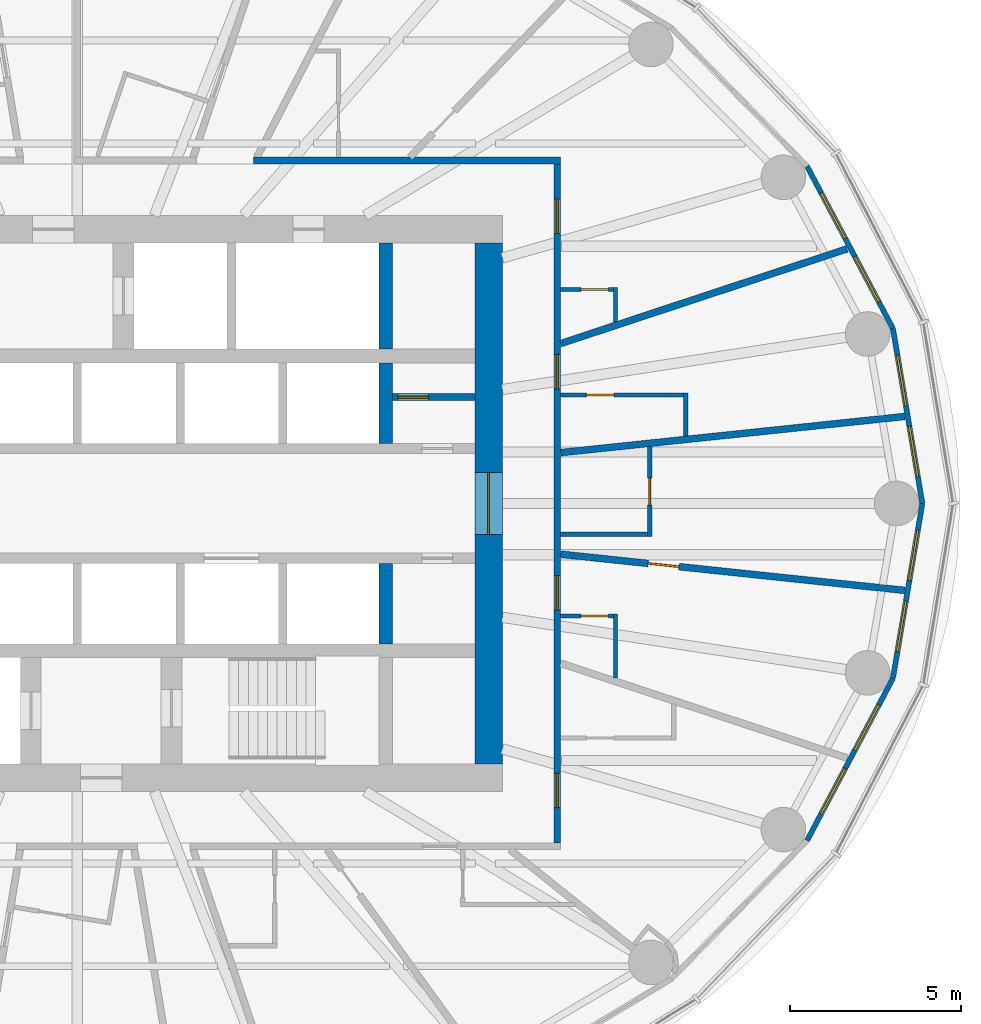
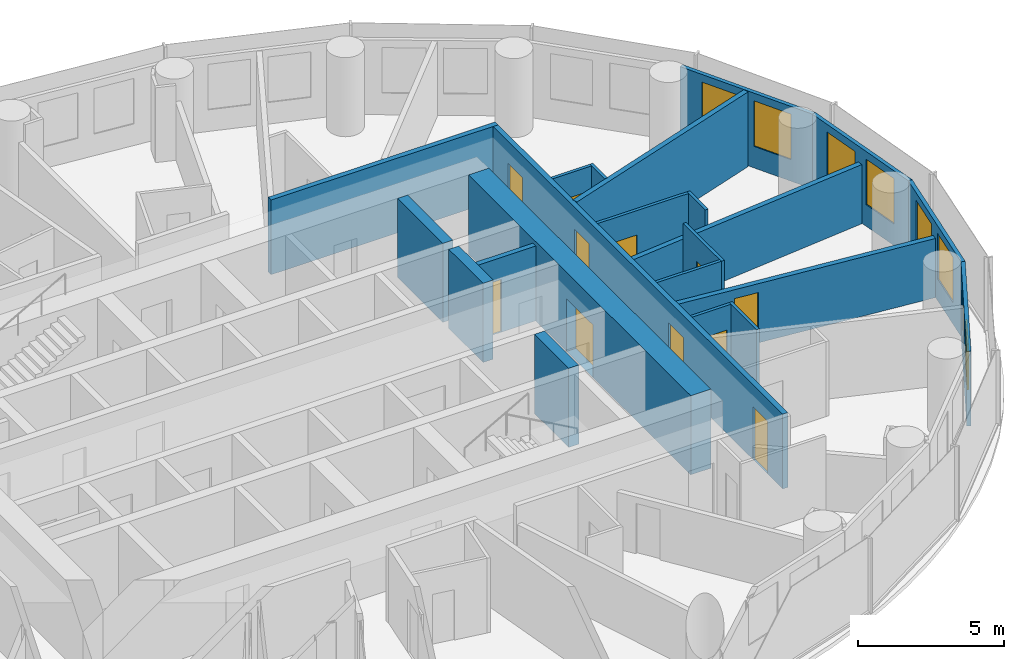
# One storey, part 10 of 13: 22 walls, 11 doors, 8 windows, 19 openings.
"""IFC4 building model written with IfcOpenShell, lengths in metres."""

from ifc_helpers import new_model, si_unit, direction, frame, frame_2d, origin, place, context, subcontext, project, spatial, rectangle, extrude, material, layer, layer_set, type_object, element, fill, save


model = new_model("IFC4")

# Units and contexts
model_context = context("Model", 3, precision=1e-05, world=origin(), true_north=direction((0.0, 1.0)))
body_context = subcontext(model_context, "Body", "Model", "MODEL_VIEW")
ifc_project = project(units=[si_unit("LENGTHUNIT", "METRE"), si_unit("AREAUNIT", "SQUARE_METRE"), si_unit("VOLUMEUNIT", "CUBIC_METRE"), si_unit("PLANEANGLEUNIT", "RADIAN"), si_unit("MASSUNIT", "GRAM", prefix="KILO")], contexts=[model_context])

# Site, building, storey
site_placement = place(None, origin())
site = spatial("IfcSite", under=ifc_project, at=site_placement, CompositionType="ELEMENT")
building_placement = place(site_placement, origin())
building = spatial("IfcBuilding", under=site, at=building_placement, Name="Hankou Lantern Tower", CompositionType="ELEMENT")
storey_placement = place(building_placement, frame((0.0, 0.0, 128.699951171875)))
storey = spatial("IfcBuildingStorey", under=building, at=storey_placement, Name="L33", CompositionType="ELEMENT", Elevation=128.699951171875)

# Wall, opening, door
ifc_material_1 = material(Name="Concrete C60", Category="concrete")
ifc_layer_1 = layer(ifc_material_1, 0.800048828125)
ifc_layer_set_1 = layer_set([ifc_layer_1], Name="Concrete C60")
wall_type_1 = type_object("IfcWallType", Name="CW2 CORE WALL 800", PredefinedType="SHEAR", material=ifc_layer_set_1)
wall_1_placement = place(storey_placement, frame((12.0, -7.60009765625, 0.0), z_axis=(0.0, 0.0, 1.0), x_axis=(0.0, 1.0, 0.0)))
wall_1 = element("IfcWall", 1, at=wall_1_placement, inside=storey, type_object=wall_type_1, Name="Core wall east L33", PredefinedType="SHEAR", context=body_context, shape_type="SweptSolid", body=[
    extrude(rectangle(XDim=15.2001953125, YDim=0.800048828125, at=frame_2d((7.60009765625, 0.0))), origin(), (0.0, 0.0, 1.0), 3.300048828125),
])
opening_1_placement = place(wall_1_placement, frame((6.699951171875, 0.0, 0.0)))
opening_1 = element("IfcOpeningElement", 2, at=opening_1_placement, cuts=wall_1, Name="Opening D6", PredefinedType="OPENING", context=body_context, shape_type="SweptSolid", body=[
    extrude(rectangle(XDim=1.800048828125, YDim=2.199951171875, at=frame_2d((0.89990234375, 1.10009765625))), frame((0.0, 0.409912109375, 0.0), z_axis=(0.0, -1.0, 0.0), x_axis=(1.0, 0.0, 0.0)), (0.0, 0.0, 1.0), 0.820068359375),
])
ifc_material_2 = material(Name="Steel door leaf", Category="steel")
door_type_1 = type_object("IfcDoorType", Name="D6 LIFT LOBBY DOOR 1800X2200", OperationType="DOUBLE_DOOR_DOUBLE_SWING", PredefinedType="DOOR", material=ifc_material_2)
door_1_placement = place(opening_1_placement, origin())
door_1 = element("IfcDoor", 3, at=door_1_placement, inside=storey, type_object=door_type_1, Name="Lift lobby east door", OperationType="DOUBLE_DOOR_DOUBLE_SWING", OverallHeight=2.199951171875, OverallWidth=1.800048828125, PredefinedType="DOOR", context=body_context, shape_type="SweptSolid", body=[
    extrude(rectangle(XDim=1.800048828125, YDim=2.199951171875, at=frame_2d((0.89990234375, 1.10009765625))), frame((0.0, 0.02490234375, 0.0), z_axis=(0.0, -1.0, 0.0), x_axis=(1.0, 0.0, 0.0)), (0.0, 0.0, 1.0), 0.050048828125),
])
fill(opening_1, door_1)

# Walls
ifc_material_3 = material(Name="Concrete C60", Category="concrete")
ifc_layer_2 = layer(ifc_material_3, 0.39990234375)
ifc_layer_set_2 = layer_set([ifc_layer_2], Name="Concrete C60")
wall_type_2 = type_object("IfcWallType", Name="CW4 CORE CROSS WALL 400", PredefinedType="SHEAR", material=ifc_layer_set_2)
wall_2_placement = place(storey_placement, frame((9.0, 4.5, 0.0), z_axis=(0.0, 0.0, 1.0), x_axis=(0.0, 1.0, 0.0)))
element("IfcWall", 4, at=wall_2_placement, inside=storey, type_object=wall_type_2, Name="Core strip wall L33", PredefinedType="SHEAR", context=body_context, shape_type="SweptSolid", body=[
    extrude(rectangle(XDim=3.10009765625, YDim=0.39990234375, at=frame_2d((1.550048828125, 0.0))), origin(), (0.0, 0.0, 1.0), 3.300048828125),
])
for number, where, z_axis, x_axis, name in (
    (5, (9.0, 1.75, 0.0), (0.0, 0.0, 1.0), (0.0, 1.0, 0.0), "Core strip wall L33"),
    (6, (9.0, -4.10009765625, 0.0), (0.0, 0.0, 1.0), (0.0, 1.0, 0.0), "Core strip wall L33"),
):
    element("IfcWall", number, at=place(storey_placement, frame(where, z_axis=z_axis, x_axis=x_axis)), inside=storey, type_object=wall_type_2, Name=name, PredefinedType="SHEAR", context=body_context, shape_type="SweptSolid", body=[
        extrude(rectangle(XDim=2.35009765625, YDim=0.39990234375, at=frame_2d((1.175048828125, 0.0))), origin(), (0.0, 0.0, 1.0), 3.300048828125),
    ])

# Wall, openings, windows
ifc_material_4 = material(Name="Aluminium spandrel panel on steel studs", Category="steel")
ifc_layer_3 = layer(ifc_material_4, 0.14990234375)
ifc_layer_set_3 = layer_set([ifc_layer_3], Name="Aluminium spandrel panel on steel studs")
wall_type_3 = type_object("IfcWallType", Name="EW1 INNER SKIN WALL 150", PredefinedType="ELEMENTEDWALL", material=ifc_layer_set_3)
wall_3_placement = place(storey_placement, frame((24.64990234375, 0.0, 0.0), z_axis=(0.0, 0.0, 1.0), x_axis=(-0.165883894218, 0.986145290329, 0.0)))
wall_3 = element("IfcWall", 7, at=wall_3_placement, inside=storey, type_object=wall_type_3, Name="Inner skin R01-R02 L33", PredefinedType="ELEMENTEDWALL", context=body_context, shape_type="SweptSolid", body=[
    extrude(rectangle(XDim=5.171630859375, YDim=0.14990234375, at=frame_2d((2.5859375, 0.0))), origin(), (0.0, 0.0, 1.0), 3.1201171875),
])
opening_2_placement = place(wall_3_placement, frame((0.785888671875, 0.0, 0.89990234375)))
opening_2 = element("IfcOpeningElement", 8, at=opening_2_placement, cuts=wall_3, Name="Opening W2", PredefinedType="OPENING", context=body_context, shape_type="SweptSolid", body=[
    extrude(rectangle(XDim=1.5, YDim=1.89990234375, at=frame_2d((0.75, 0.949951171875))), frame((0.0, 0.0849609375, 0.0), z_axis=(0.0, -1.0, 0.0), x_axis=(1.0, 0.0, 0.0)), (0.0, 0.0, 1.0), 0.169921875),
])
opening_3_placement = place(wall_3_placement, frame((2.8857421875, 0.0, 0.89990234375)))
opening_3 = element("IfcOpeningElement", 9, at=opening_3_placement, cuts=wall_3, Name="Opening W2", PredefinedType="OPENING", context=body_context, shape_type="SweptSolid", body=[
    extrude(rectangle(XDim=1.5, YDim=1.89990234375, at=frame_2d((0.75, 0.949951171875))), frame((0.0, 0.0849609375, 0.0), z_axis=(0.0, -1.0, 0.0), x_axis=(1.0, 0.0, 0.0)), (0.0, 0.0, 1.0), 0.169921875),
])
ifc_material_5 = material(Name="Aluminium framed double glazed window", Category="aluminium")
window_type = type_object("IfcWindowType", Name="W2 GUEST ROOM WINDOW 1500X1900", PartitioningType="DOUBLE_PANEL_VERTICAL", PredefinedType="WINDOW", material=ifc_material_5)
window_1_placement = place(opening_2_placement, origin())
window_1 = element("IfcWindow", 10, at=window_1_placement, inside=storey, type_object=window_type, Name="Window R01.1 L33", OverallHeight=1.89990234375, OverallWidth=1.5, PartitioningType="SINGLE_PANEL", PredefinedType="WINDOW", context=body_context, shape_type="SweptSolid", body=[
    extrude(rectangle(XDim=1.5, YDim=1.89990234375, at=frame_2d((0.75, 0.949951171875))), frame((0.0, 0.030029296875, 0.0), z_axis=(0.0, -1.0, 0.0), x_axis=(1.0, 0.0, 0.0)), (0.0, 0.0, 1.0), 0.06005859375),
])
fill(opening_2, window_1)
window_2_placement = place(opening_3_placement, origin())
window_2 = element("IfcWindow", 11, at=window_2_placement, inside=storey, type_object=window_type, Name="Window R01.2 L33", OverallHeight=1.89990234375, OverallWidth=1.5, PartitioningType="SINGLE_PANEL", PredefinedType="WINDOW", context=body_context, shape_type="SweptSolid", body=[
    extrude(rectangle(XDim=1.5, YDim=1.89990234375, at=frame_2d((0.75, 0.949951171875))), frame((0.0, 0.030029296875, 0.0), z_axis=(0.0, -1.0, 0.0), x_axis=(1.0, 0.0, 0.0)), (0.0, 0.0, 1.0), 0.06005859375),
])
fill(opening_3, window_2)

wall_4_placement = place(storey_placement, frame((23.7919921875, 5.10009765625, 0.0), z_axis=(0.0, 0.0, 1.0), x_axis=(-0.467814388454, 0.883826735257, 0.0)))
wall_4 = element("IfcWall", 12, at=wall_4_placement, inside=storey, type_object=wall_type_3, Name="Inner skin R02-R03 L33", PredefinedType="ELEMENTEDWALL", context=body_context, shape_type="SweptSolid", body=[
    extrude(rectangle(XDim=5.35400390625, YDim=0.14990234375, at=frame_2d((2.677001953125, 0.0))), origin(), (0.0, 0.0, 1.0), 3.1201171875),
])
opening_4_placement = place(wall_4_placement, frame((0.876953125, 0.0, 0.89990234375)))
opening_4 = element("IfcOpeningElement", 13, at=opening_4_placement, cuts=wall_4, Name="Opening W2", PredefinedType="OPENING", context=body_context, shape_type="SweptSolid", body=[
    extrude(rectangle(XDim=1.5, YDim=1.89990234375, at=frame_2d((0.75, 0.949951171875))), frame((0.0, 0.0849609375, 0.0), z_axis=(0.0, -1.0, 0.0), x_axis=(1.0, 0.0, 0.0)), (0.0, 0.0, 1.0), 0.169921875),
])
opening_5_placement = place(wall_4_placement, frame((2.97705078125, 0.0, 0.89990234375)))
opening_5 = element("IfcOpeningElement", 14, at=opening_5_placement, cuts=wall_4, Name="Opening W2", PredefinedType="OPENING", context=body_context, shape_type="SweptSolid", body=[
    extrude(rectangle(XDim=1.5, YDim=1.89990234375, at=frame_2d((0.75, 0.949951171875))), frame((0.0, 0.0849609375, 0.0), z_axis=(0.0, -1.0, 0.0), x_axis=(1.0, 0.0, 0.0)), (0.0, 0.0, 1.0), 0.169921875),
])
window_3_placement = place(opening_4_placement, origin())
window_3 = element("IfcWindow", 15, at=window_3_placement, inside=storey, type_object=window_type, Name="Window R02.1 L33", OverallHeight=1.89990234375, OverallWidth=1.5, PartitioningType="SINGLE_PANEL", PredefinedType="WINDOW", context=body_context, shape_type="SweptSolid", body=[
    extrude(rectangle(XDim=1.5, YDim=1.89990234375, at=frame_2d((0.75, 0.949951171875))), frame((0.0, 0.030029296875, 0.0), z_axis=(0.0, -1.0, 0.0), x_axis=(1.0, 0.0, 0.0)), (0.0, 0.0, 1.0), 0.06005859375),
])
fill(opening_4, window_3)
window_4_placement = place(opening_5_placement, origin())
window_4 = element("IfcWindow", 16, at=window_4_placement, inside=storey, type_object=window_type, Name="Window R02.2 L33", OverallHeight=1.89990234375, OverallWidth=1.5, PartitioningType="SINGLE_PANEL", PredefinedType="WINDOW", context=body_context, shape_type="SweptSolid", body=[
    extrude(rectangle(XDim=1.5, YDim=1.89990234375, at=frame_2d((0.75, 0.949951171875))), frame((0.0, 0.030029296875, 0.0), z_axis=(0.0, -1.0, 0.0), x_axis=(1.0, 0.0, 0.0)), (0.0, 0.0, 1.0), 0.06005859375),
])
fill(opening_5, window_4)

wall_5_placement = place(storey_placement, frame((21.287353515625, -9.83203125, 0.0), z_axis=(0.0, 0.0, 1.0), x_axis=(0.467814388454, 0.883826735257, 0.0)))
wall_5 = element("IfcWall", 17, at=wall_5_placement, inside=storey, type_object=wall_type_3, Name="Inner skin R23-R24 L33", PredefinedType="ELEMENTEDWALL", context=body_context, shape_type="SweptSolid", body=[
    extrude(rectangle(XDim=5.35400390625, YDim=0.14990234375, at=frame_2d((2.677001953125, 0.0))), origin(), (0.0, 0.0, 1.0), 3.1201171875),
])
opening_6_placement = place(wall_5_placement, frame((0.876953125, 0.0, 0.89990234375)))
opening_6 = element("IfcOpeningElement", 18, at=opening_6_placement, cuts=wall_5, Name="Opening W2", PredefinedType="OPENING", context=body_context, shape_type="SweptSolid", body=[
    extrude(rectangle(XDim=1.5, YDim=1.89990234375, at=frame_2d((0.75, 0.949951171875))), frame((0.0, 0.0849609375, 0.0), z_axis=(0.0, -1.0, 0.0), x_axis=(1.0, 0.0, 0.0)), (0.0, 0.0, 1.0), 0.169921875),
])
opening_7_placement = place(wall_5_placement, frame((2.97705078125, 0.0, 0.89990234375)))
opening_7 = element("IfcOpeningElement", 19, at=opening_7_placement, cuts=wall_5, Name="Opening W2", PredefinedType="OPENING", context=body_context, shape_type="SweptSolid", body=[
    extrude(rectangle(XDim=1.5, YDim=1.89990234375, at=frame_2d((0.75, 0.949951171875))), frame((0.0, 0.0849609375, 0.0), z_axis=(0.0, -1.0, 0.0), x_axis=(1.0, 0.0, 0.0)), (0.0, 0.0, 1.0), 0.169921875),
])
window_5_placement = place(opening_6_placement, origin())
window_5 = element("IfcWindow", 20, at=window_5_placement, inside=storey, type_object=window_type, Name="Window R23.1 L33", OverallHeight=1.89990234375, OverallWidth=1.5, PartitioningType="SINGLE_PANEL", PredefinedType="WINDOW", context=body_context, shape_type="SweptSolid", body=[
    extrude(rectangle(XDim=1.5, YDim=1.89990234375, at=frame_2d((0.75, 0.949951171875))), frame((0.0, 0.030029296875, 0.0), z_axis=(0.0, -1.0, 0.0), x_axis=(1.0, 0.0, 0.0)), (0.0, 0.0, 1.0), 0.06005859375),
])
fill(opening_6, window_5)
window_6_placement = place(opening_7_placement, origin())
window_6 = element("IfcWindow", 21, at=window_6_placement, inside=storey, type_object=window_type, Name="Window R23.2 L33", OverallHeight=1.89990234375, OverallWidth=1.5, PartitioningType="SINGLE_PANEL", PredefinedType="WINDOW", context=body_context, shape_type="SweptSolid", body=[
    extrude(rectangle(XDim=1.5, YDim=1.89990234375, at=frame_2d((0.75, 0.949951171875))), frame((0.0, 0.030029296875, 0.0), z_axis=(0.0, -1.0, 0.0), x_axis=(1.0, 0.0, 0.0)), (0.0, 0.0, 1.0), 0.06005859375),
])
fill(opening_7, window_6)

wall_6_placement = place(storey_placement, frame((23.7919921875, -5.10009765625, 0.0), z_axis=(0.0, 0.0, 1.0), x_axis=(0.165883894218, 0.986145290329, 0.0)))
wall_6 = element("IfcWall", 22, at=wall_6_placement, inside=storey, type_object=wall_type_3, Name="Inner skin R24-R01 L33", PredefinedType="ELEMENTEDWALL", context=body_context, shape_type="SweptSolid", body=[
    extrude(rectangle(XDim=5.171630859375, YDim=0.14990234375, at=frame_2d((2.5859375, 0.0))), origin(), (0.0, 0.0, 1.0), 3.1201171875),
])
opening_8_placement = place(wall_6_placement, frame((0.785888671875, 0.0, 0.89990234375)))
opening_8 = element("IfcOpeningElement", 23, at=opening_8_placement, cuts=wall_6, Name="Opening W2", PredefinedType="OPENING", context=body_context, shape_type="SweptSolid", body=[
    extrude(rectangle(XDim=1.5, YDim=1.89990234375, at=frame_2d((0.75, 0.949951171875))), frame((0.0, 0.0849609375, 0.0), z_axis=(0.0, -1.0, 0.0), x_axis=(1.0, 0.0, 0.0)), (0.0, 0.0, 1.0), 0.169921875),
])
opening_9_placement = place(wall_6_placement, frame((2.8857421875, 0.0, 0.89990234375)))
opening_9 = element("IfcOpeningElement", 24, at=opening_9_placement, cuts=wall_6, Name="Opening W2", PredefinedType="OPENING", context=body_context, shape_type="SweptSolid", body=[
    extrude(rectangle(XDim=1.5, YDim=1.89990234375, at=frame_2d((0.75, 0.949951171875))), frame((0.0, 0.0849609375, 0.0), z_axis=(0.0, -1.0, 0.0), x_axis=(1.0, 0.0, 0.0)), (0.0, 0.0, 1.0), 0.169921875),
])
window_7_placement = place(opening_8_placement, origin())
window_7 = element("IfcWindow", 25, at=window_7_placement, inside=storey, type_object=window_type, Name="Window R24.1 L33", OverallHeight=1.89990234375, OverallWidth=1.5, PartitioningType="SINGLE_PANEL", PredefinedType="WINDOW", context=body_context, shape_type="SweptSolid", body=[
    extrude(rectangle(XDim=1.5, YDim=1.89990234375, at=frame_2d((0.75, 0.949951171875))), frame((0.0, 0.030029296875, 0.0), z_axis=(0.0, -1.0, 0.0), x_axis=(1.0, 0.0, 0.0)), (0.0, 0.0, 1.0), 0.06005859375),
])
fill(opening_8, window_7)
window_8_placement = place(opening_9_placement, origin())
window_8 = element("IfcWindow", 26, at=window_8_placement, inside=storey, type_object=window_type, Name="Window R24.2 L33", OverallHeight=1.89990234375, OverallWidth=1.5, PartitioningType="SINGLE_PANEL", PredefinedType="WINDOW", context=body_context, shape_type="SweptSolid", body=[
    extrude(rectangle(XDim=1.5, YDim=1.89990234375, at=frame_2d((0.75, 0.949951171875))), frame((0.0, 0.030029296875, 0.0), z_axis=(0.0, -1.0, 0.0), x_axis=(1.0, 0.0, 0.0)), (0.0, 0.0, 1.0), 0.06005859375),
])
fill(opening_9, window_8)

# Walls
ifc_material_6 = material(Name="Masonry lightweight concrete block", Category="masonry")
ifc_layer_4 = layer(ifc_material_6, 0.199951171875)
ifc_layer_set_4 = layer_set([ifc_layer_4], Name="Masonry lightweight concrete block")
wall_type_4 = type_object("IfcWallType", Name="IW1 GUEST ROOM PARTY WALL 200", PredefinedType="PARTITIONING", material=ifc_layer_set_4)
wall_7_placement = place(storey_placement, frame((14.10009765625, 1.481689453125, 0.0), z_axis=(0.0, 0.0, 1.0), x_axis=(0.994523202615, 0.104516024894, 0.0)))
element("IfcWall", 27, at=wall_7_placement, inside=storey, type_object=wall_type_4, Name="Party wall R01-R02", PredefinedType="PARTITIONING", context=body_context, shape_type="SweptSolid", body=[
    extrude(rectangle(XDim=10.091064453125, YDim=0.199951171875, at=frame_2d((5.04541015625, 0.0))), origin(), (0.0, 0.0, 1.0), 2.469970703125),
])
wall_8_placement = place(storey_placement, frame((14.10009765625, 4.662353515625, 0.0), z_axis=(0.0, 0.0, 1.0), x_axis=(0.949446466373, 0.313928984789, 0.0)))
element("IfcWall", 28, at=wall_8_placement, inside=storey, type_object=wall_type_4, Name="Party wall R02-R03", PredefinedType="PARTITIONING", context=body_context, shape_type="SweptSolid", body=[
    extrude(rectangle(XDim=8.79736328125, YDim=0.199951171875, at=frame_2d((4.398681640625, 0.0))), origin(), (0.0, 0.0, 1.0), 3.1201171875),
])

# Wall, openings, doors
ifc_material_7 = material(Name="Masonry lightweight concrete block", Category="masonry")
ifc_layer_5 = layer(ifc_material_7, 0.199951171875)
ifc_layer_set_5 = layer_set([ifc_layer_5], Name="Masonry lightweight concrete block")
wall_type_5 = type_object("IfcWallType", Name="IW2 CORRIDOR WALL 200", PredefinedType="PARTITIONING", material=ifc_layer_set_5)
wall_9_placement = place(storey_placement, frame((14.0, -9.89990234375, 0.0), z_axis=(0.0, 0.0, 1.0), x_axis=(0.0, 1.0, 0.0)))
wall_9 = element("IfcWall", 29, at=wall_9_placement, inside=storey, type_object=wall_type_5, Name="Corridor wall east", PredefinedType="PARTITIONING", context=body_context, shape_type="SweptSolid", body=[
    extrude(rectangle(XDim=19.7998046875, YDim=0.199951171875, at=frame_2d((9.89990234375, 0.0))), origin(), (0.0, 0.0, 1.0), 3.1201171875),
])
opening_10_placement = place(wall_9_placement, frame((1.02490234375, 0.0, 0.0)))
opening_10 = element("IfcOpeningElement", 30, at=opening_10_placement, cuts=wall_9, Name="Opening D1", PredefinedType="OPENING", context=body_context, shape_type="SweptSolid", body=[
    extrude(rectangle(XDim=1.0, YDim=2.199951171875, at=frame_2d((0.5, 1.10009765625))), frame((0.0, 0.10986328125, 0.0), z_axis=(0.0, -1.0, 0.0), x_axis=(1.0, 0.0, 0.0)), (0.0, 0.0, 1.0), 0.219970703125),
])
opening_11_placement = place(wall_9_placement, frame((6.797607421875, 0.0, 0.0)))
opening_11 = element("IfcOpeningElement", 31, at=opening_11_placement, cuts=wall_9, Name="Opening D2", PredefinedType="OPENING", context=body_context, shape_type="SweptSolid", body=[
    extrude(rectangle(XDim=1.0, YDim=2.199951171875, at=frame_2d((0.5, 1.10009765625))), frame((0.0, 0.10986328125, 0.0), z_axis=(0.0, -1.0, 0.0), x_axis=(1.0, 0.0, 0.0)), (0.0, 0.0, 1.0), 0.219970703125),
])
opening_12_placement = place(wall_9_placement, frame((13.24169921875, 0.0, 0.0)))
opening_12 = element("IfcOpeningElement", 32, at=opening_12_placement, cuts=wall_9, Name="Opening D1", PredefinedType="OPENING", context=body_context, shape_type="SweptSolid", body=[
    extrude(rectangle(XDim=1.0, YDim=2.199951171875, at=frame_2d((0.5, 1.10009765625))), frame((0.0, 0.10986328125, 0.0), z_axis=(0.0, -1.0, 0.0), x_axis=(1.0, 0.0, 0.0)), (0.0, 0.0, 1.0), 0.219970703125),
])
opening_13_placement = place(wall_9_placement, frame((17.77734375, 0.0, 0.0)))
opening_13 = element("IfcOpeningElement", 33, at=opening_13_placement, cuts=wall_9, Name="Opening D2", PredefinedType="OPENING", context=body_context, shape_type="SweptSolid", body=[
    extrude(rectangle(XDim=1.0, YDim=2.199951171875, at=frame_2d((0.5, 1.10009765625))), frame((0.0, 0.10986328125, 0.0), z_axis=(0.0, -1.0, 0.0), x_axis=(1.0, 0.0, 0.0)), (0.0, 0.0, 1.0), 0.219970703125),
])
ifc_material_8 = material(Name="Steel door leaf", Category="steel")
door_type_2 = type_object("IfcDoorType", Name="D1 GUEST ROOM DOOR 1000X2200", OperationType="SINGLE_SWING_LEFT", PredefinedType="DOOR", material=ifc_material_8)
door_2_placement = place(opening_10_placement, origin())
door_2 = element("IfcDoor", 34, at=door_2_placement, inside=storey, type_object=door_type_2, Name="Guest room door 3315", OperationType="SINGLE_SWING_LEFT", OverallHeight=2.199951171875, OverallWidth=1.0, PredefinedType="DOOR", context=body_context, shape_type="SweptSolid", body=[
    extrude(rectangle(XDim=1.0, YDim=2.199951171875, at=frame_2d((0.5, 1.10009765625))), frame((0.0, 0.02490234375, 0.0), z_axis=(0.0, -1.0, 0.0), x_axis=(1.0, 0.0, 0.0)), (0.0, 0.0, 1.0), 0.050048828125),
])
fill(opening_10, door_2)
door_3_placement = place(opening_12_placement, origin())
door_3 = element("IfcDoor", 35, at=door_3_placement, inside=storey, type_object=door_type_2, Name="Guest room door 3317", OperationType="SINGLE_SWING_RIGHT", OverallHeight=2.199951171875, OverallWidth=1.0, PredefinedType="DOOR", context=body_context, shape_type="SweptSolid", body=[
    extrude(rectangle(XDim=1.0, YDim=2.199951171875, at=frame_2d((0.5, 1.10009765625))), frame((0.0, 0.02490234375, 0.0), z_axis=(0.0, -1.0, 0.0), x_axis=(1.0, 0.0, 0.0)), (0.0, 0.0, 1.0), 0.050048828125),
])
fill(opening_12, door_3)
ifc_material_9 = material(Name="Steel door leaf", Category="steel")
door_type_3 = type_object("IfcDoorType", Name="D2 SUITE DOOR 1000X2200", OperationType="SINGLE_SWING_LEFT", PredefinedType="DOOR", material=ifc_material_9)
door_4_placement = place(opening_11_placement, origin())
door_4 = element("IfcDoor", 36, at=door_4_placement, inside=storey, type_object=door_type_3, Name="Suite door 3316C", OperationType="SINGLE_SWING_LEFT", OverallHeight=2.199951171875, OverallWidth=1.0, PredefinedType="DOOR", context=body_context, shape_type="SweptSolid", body=[
    extrude(rectangle(XDim=1.0, YDim=2.199951171875, at=frame_2d((0.5, 1.10009765625))), frame((0.0, 0.02490234375, 0.0), z_axis=(0.0, -1.0, 0.0), x_axis=(1.0, 0.0, 0.0)), (0.0, 0.0, 1.0), 0.050048828125),
])
fill(opening_11, door_4)
door_5_placement = place(opening_13_placement, origin())
door_5 = element("IfcDoor", 37, at=door_5_placement, inside=storey, type_object=door_type_3, Name="Suite door 3318C", OperationType="SINGLE_SWING_RIGHT", OverallHeight=2.199951171875, OverallWidth=1.0, PredefinedType="DOOR", context=body_context, shape_type="SweptSolid", body=[
    extrude(rectangle(XDim=1.0, YDim=2.199951171875, at=frame_2d((0.5, 1.10009765625))), frame((0.0, 0.02490234375, 0.0), z_axis=(0.0, -1.0, 0.0), x_axis=(1.0, 0.0, 0.0)), (0.0, 0.0, 1.0), 0.050048828125),
])
fill(opening_13, door_5)

# Walls
wall_10_placement = place(storey_placement, frame((5.13916015625, 10.0, 0.0), z_axis=(0.0, 0.0, 1.0), x_axis=(1.0, 0.0, 0.0)))
element("IfcWall", 38, at=wall_10_placement, inside=storey, type_object=wall_type_5, Name="Corridor wall north", PredefinedType="PARTITIONING", context=body_context, shape_type="SweptSolid", body=[
    extrude(rectangle(XDim=8.9609375, YDim=0.199951171875, at=frame_2d((4.48046875, 0.0))), origin(), (0.0, 0.0, 1.0), 3.1201171875),
])
ifc_material_10 = material(Name="Masonry lightweight concrete block", Category="masonry")
ifc_layer_6 = layer(ifc_material_10, 0.1201171875)
ifc_layer_set_6 = layer_set([ifc_layer_6], Name="Masonry lightweight concrete block")
wall_type_6 = type_object("IfcWallType", Name="IW3 BATHROOM WALL 120", PredefinedType="PARTITIONING", material=ifc_layer_set_6)
wall_11_placement = place(storey_placement, frame((15.699951171875, -5.09130859375, 0.0), z_axis=(0.0, 0.0, 1.0), x_axis=(0.0, 1.0, 0.0)))
element("IfcWall", 39, at=wall_11_placement, inside=storey, type_object=wall_type_6, Name="Box wall 3316C 1", PredefinedType="PARTITIONING", context=body_context, shape_type="SweptSolid", body=[
    extrude(rectangle(XDim=1.868896484375, YDim=0.1201171875, at=frame_2d((0.9345703125, 0.0))), origin(), (0.0, 0.0, 1.0), 3.1201171875),
])

# Wall, opening, door
wall_12_placement = place(storey_placement, frame((14.10009765625, -3.2822265625, 0.0), z_axis=(0.0, 0.0, 1.0), x_axis=(1.0, 0.0, 0.0)))
wall_12 = element("IfcWall", 40, at=wall_12_placement, inside=storey, type_object=wall_type_6, Name="Box wall 3316C 1", PredefinedType="PARTITIONING", context=body_context, shape_type="SweptSolid", body=[
    extrude(rectangle(XDim=1.539794921875, YDim=0.1201171875, at=frame_2d((0.77001953125, 0.0))), origin(), (0.0, 0.0, 1.0), 3.1201171875),
])
opening_14_placement = place(wall_12_placement, frame((0.590087890625, 0.0, 0.0)))
opening_14 = element("IfcOpeningElement", 41, at=opening_14_placement, cuts=wall_12, Name="Opening D3", PredefinedType="OPENING", context=body_context, shape_type="SweptSolid", body=[
    extrude(rectangle(XDim=0.800048828125, YDim=2.10009765625, at=frame_2d((0.39990234375, 1.050048828125))), frame((0.0, 0.070068359375, 0.0), z_axis=(0.0, -1.0, 0.0), x_axis=(1.0, 0.0, 0.0)), (0.0, 0.0, 1.0), 0.14013671875),
])
ifc_material_11 = material(Name="Timber door leaf", Category="wood")
door_type_4 = type_object("IfcDoorType", Name="D3 BATHROOM DOOR 800X2100", OperationType="SINGLE_SWING_LEFT", PredefinedType="DOOR", material=ifc_material_11)
door_6_placement = place(opening_14_placement, origin())
door_6 = element("IfcDoor", 42, at=door_6_placement, inside=storey, type_object=door_type_4, Name="Suite 3316 guest WC door", OperationType="SINGLE_SWING_LEFT", OverallHeight=2.10009765625, OverallWidth=0.800048828125, PredefinedType="DOOR", context=body_context, shape_type="SweptSolid", body=[
    extrude(rectangle(XDim=0.800048828125, YDim=2.10009765625, at=frame_2d((0.39990234375, 1.050048828125))), frame((0.0, 0.02490234375, 0.0), z_axis=(0.0, -1.0, 0.0), x_axis=(1.0, 0.0, 0.0)), (0.0, 0.0, 1.0), 0.050048828125),
])
fill(opening_14, door_6)

wall_13_placement = place(storey_placement, frame((16.699951171875, 1.655029296875, 0.0), z_axis=(0.0, 0.0, 1.0), x_axis=(0.0, -1.0, 0.0)))
wall_13 = element("IfcWall", 43, at=wall_13_placement, inside=storey, type_object=wall_type_6, Name="Box wall 3316A 1", PredefinedType="PARTITIONING", context=body_context, shape_type="SweptSolid", body=[
    extrude(rectangle(XDim=2.61328125, YDim=0.1201171875, at=frame_2d((1.306640625, 0.0))), origin(), (0.0, 0.0, 1.0), 3.1201171875),
])
opening_15_placement = place(wall_13_placement, frame((0.906494140625, 0.0, 0.0)))
opening_15 = element("IfcOpeningElement", 44, at=opening_15_placement, cuts=wall_13, Name="Opening D3", PredefinedType="OPENING", context=body_context, shape_type="SweptSolid", body=[
    extrude(rectangle(XDim=0.800048828125, YDim=2.10009765625, at=frame_2d((0.39990234375, 1.050048828125))), frame((0.0, 0.070068359375, 0.0), z_axis=(0.0, -1.0, 0.0), x_axis=(1.0, 0.0, 0.0)), (0.0, 0.0, 1.0), 0.14013671875),
])
door_7_placement = place(opening_15_placement, origin())
door_7 = element("IfcDoor", 45, at=door_7_placement, inside=storey, type_object=door_type_4, Name="Suite 3316 bathroom door", OperationType="SINGLE_SWING_LEFT", OverallHeight=2.10009765625, OverallWidth=0.800048828125, PredefinedType="DOOR", context=body_context, shape_type="SweptSolid", body=[
    extrude(rectangle(XDim=0.800048828125, YDim=2.10009765625, at=frame_2d((0.39990234375, 1.050048828125))), frame((0.0, 0.02490234375, 0.0), z_axis=(0.0, -1.0, 0.0), x_axis=(1.0, 0.0, 0.0)), (0.0, 0.0, 1.0), 0.050048828125),
])
fill(opening_15, door_7)

# Walls
wall_14_placement = place(storey_placement, frame((14.10009765625, -0.898193359375, 0.0), z_axis=(0.0, 0.0, 1.0), x_axis=(1.0, 0.0, 0.0)))
element("IfcWall", 46, at=wall_14_placement, inside=storey, type_object=wall_type_6, Name="Box wall 3316A 1", PredefinedType="PARTITIONING", context=body_context, shape_type="SweptSolid", body=[
    extrude(rectangle(XDim=2.539794921875, YDim=0.1201171875, at=frame_2d((1.27001953125, 0.0))), origin(), (0.0, 0.0, 1.0), 3.1201171875),
])
wall_15_placement = place(storey_placement, frame((17.75, 1.96533203125, 0.0), z_axis=(0.0, 0.0, 1.0), x_axis=(0.0, 1.0, 0.0)))
element("IfcWall", 47, at=wall_15_placement, inside=storey, type_object=wall_type_6, Name="Box wall 3317 1", PredefinedType="PARTITIONING", context=body_context, shape_type="SweptSolid", body=[
    extrude(rectangle(XDim=1.25634765625, YDim=0.1201171875, at=frame_2d((0.628173828125, 0.0))), origin(), (0.0, 0.0, 1.0), 3.1201171875),
])

# Wall, opening, door
wall_16_placement = place(storey_placement, frame((14.10009765625, 3.161865234375, 0.0), z_axis=(0.0, 0.0, 1.0), x_axis=(1.0, 0.0, 0.0)))
wall_16 = element("IfcWall", 48, at=wall_16_placement, inside=storey, type_object=wall_type_6, Name="Box wall 3317 1", PredefinedType="PARTITIONING", context=body_context, shape_type="SweptSolid", body=[
    extrude(rectangle(XDim=3.58984375, YDim=0.1201171875, at=frame_2d((1.794921875, 0.0))), origin(), (0.0, 0.0, 1.0), 3.1201171875),
])
opening_16_placement = place(wall_16_placement, frame((0.75, 0.0, 0.0)))
opening_16 = element("IfcOpeningElement", 49, at=opening_16_placement, cuts=wall_16, Name="Opening D3", PredefinedType="OPENING", context=body_context, shape_type="SweptSolid", body=[
    extrude(rectangle(XDim=0.800048828125, YDim=2.10009765625, at=frame_2d((0.39990234375, 1.050048828125))), frame((0.0, 0.070068359375, 0.0), z_axis=(0.0, -1.0, 0.0), x_axis=(1.0, 0.0, 0.0)), (0.0, 0.0, 1.0), 0.14013671875),
])
door_8_placement = place(opening_16_placement, origin())
door_8 = element("IfcDoor", 50, at=door_8_placement, inside=storey, type_object=door_type_4, Name="En-suite bathroom 3317 door", OperationType="SINGLE_SWING_LEFT", OverallHeight=2.10009765625, OverallWidth=0.800048828125, PredefinedType="DOOR", context=body_context, shape_type="SweptSolid", body=[
    extrude(rectangle(XDim=0.800048828125, YDim=2.10009765625, at=frame_2d((0.39990234375, 1.050048828125))), frame((0.0, 0.02490234375, 0.0), z_axis=(0.0, -1.0, 0.0), x_axis=(1.0, 0.0, 0.0)), (0.0, 0.0, 1.0), 0.050048828125),
])
fill(opening_16, door_8)

# Wall
wall_17_placement = place(storey_placement, frame((15.699951171875, 5.291259765625, 0.0), z_axis=(0.0, 0.0, 1.0), x_axis=(0.0, 1.0, 0.0)))
element("IfcWall", 51, at=wall_17_placement, inside=storey, type_object=wall_type_6, Name="Box wall 3318C 1", PredefinedType="PARTITIONING", context=body_context, shape_type="SweptSolid", body=[
    extrude(rectangle(XDim=1.010986328125, YDim=0.1201171875, at=frame_2d((0.50537109375, 0.0))), origin(), (0.0, 0.0, 1.0), 3.1201171875),
])

# Wall, opening, door
wall_18_placement = place(storey_placement, frame((14.10009765625, 6.2421875, 0.0), z_axis=(0.0, 0.0, 1.0), x_axis=(1.0, 0.0, 0.0)))
wall_18 = element("IfcWall", 52, at=wall_18_placement, inside=storey, type_object=wall_type_6, Name="Box wall 3318C 1", PredefinedType="PARTITIONING", context=body_context, shape_type="SweptSolid", body=[
    extrude(rectangle(XDim=1.539794921875, YDim=0.1201171875, at=frame_2d((0.77001953125, 0.0))), origin(), (0.0, 0.0, 1.0), 3.1201171875),
])
opening_17_placement = place(wall_18_placement, frame((0.590087890625, 0.0, 0.0)))
opening_17 = element("IfcOpeningElement", 53, at=opening_17_placement, cuts=wall_18, Name="Opening D3", PredefinedType="OPENING", context=body_context, shape_type="SweptSolid", body=[
    extrude(rectangle(XDim=0.800048828125, YDim=2.10009765625, at=frame_2d((0.39990234375, 1.050048828125))), frame((0.0, 0.070068359375, 0.0), z_axis=(0.0, -1.0, 0.0), x_axis=(1.0, 0.0, 0.0)), (0.0, 0.0, 1.0), 0.14013671875),
])
door_9_placement = place(opening_17_placement, origin())
door_9 = element("IfcDoor", 54, at=door_9_placement, inside=storey, type_object=door_type_4, Name="Corner suite 3318 guest WC door", OperationType="SINGLE_SWING_LEFT", OverallHeight=2.10009765625, OverallWidth=0.800048828125, PredefinedType="DOOR", context=body_context, shape_type="SweptSolid", body=[
    extrude(rectangle(XDim=0.800048828125, YDim=2.10009765625, at=frame_2d((0.39990234375, 1.050048828125))), frame((0.0, 0.02490234375, 0.0), z_axis=(0.0, -1.0, 0.0), x_axis=(1.0, 0.0, 0.0)), (0.0, 0.0, 1.0), 0.050048828125),
])
fill(opening_17, door_9)

ifc_material_12 = material(Name="Masonry lightweight concrete block", Category="masonry")
ifc_layer_7 = layer(ifc_material_12, 0.199951171875)
ifc_layer_set_7 = layer_set([ifc_layer_7], Name="Masonry lightweight concrete block")
wall_type_7 = type_object("IfcWallType", Name="IW6 SUITE PARTITION 200", PredefinedType="PARTITIONING", material=ifc_layer_set_7)
wall_19_placement = place(storey_placement, frame((14.10009765625, -1.481689453125, 0.0), z_axis=(0.0, 0.0, 1.0), x_axis=(0.994523202615, -0.104516024894, 0.0)))
wall_19 = element("IfcWall", 55, at=wall_19_placement, inside=storey, type_object=wall_type_7, Name="Suite partition R24-R01", PredefinedType="PARTITIONING", context=body_context, shape_type="SweptSolid", body=[
    extrude(rectangle(XDim=10.091064453125, YDim=0.199951171875, at=frame_2d((5.04541015625, 0.0))), origin(), (0.0, 0.0, 1.0), 2.469970703125),
])
opening_18_placement = place(wall_19_placement, frame((2.570068359375, 0.0, 0.0)))
opening_18 = element("IfcOpeningElement", 56, at=opening_18_placement, cuts=wall_19, Name="Opening D27", PredefinedType="OPENING", context=body_context, shape_type="SweptSolid", body=[
    extrude(rectangle(XDim=0.89990234375, YDim=2.10009765625, at=frame_2d((0.449951171875, 1.050048828125))), frame((0.0, 0.10986328125, 0.0), z_axis=(0.0, -1.0, 0.0), x_axis=(1.0, 0.0, 0.0)), (0.0, 0.0, 1.0), 0.219970703125),
])
ifc_material_13 = material(Name="Timber door leaf", Category="wood")
door_type_5 = type_object("IfcDoorType", Name="D27 INTERNAL DOOR 900X2100", OperationType="SINGLE_SWING_LEFT", PredefinedType="DOOR", material=ifc_material_13)
door_10_placement = place(opening_18_placement, origin())
door_10 = element("IfcDoor", 57, at=door_10_placement, inside=storey, type_object=door_type_5, Name="Suite 3316 bedroom door", OperationType="SINGLE_SWING_LEFT", OverallHeight=2.10009765625, OverallWidth=0.89990234375, PredefinedType="DOOR", context=body_context, shape_type="SweptSolid", body=[
    extrude(rectangle(XDim=0.89990234375, YDim=2.10009765625, at=frame_2d((0.449951171875, 1.050048828125))), frame((0.0, 0.02490234375, 0.0), z_axis=(0.0, -1.0, 0.0), x_axis=(1.0, 0.0, 0.0)), (0.0, 0.0, 1.0), 0.050048828125),
])
fill(opening_18, door_10)

ifc_material_14 = material(Name="Masonry lightweight concrete block", Category="masonry")
ifc_layer_8 = layer(ifc_material_14, 0.199951171875)
ifc_layer_set_8 = layer_set([ifc_layer_8], Name="Masonry lightweight concrete block")
wall_type_8 = type_object("IfcWallType", Name="IW8 PARTITION 200", PredefinedType="PARTITIONING", material=ifc_layer_set_8)
wall_20_placement = place(storey_placement, frame((9.199951171875, 3.10009765625, 0.0), z_axis=(0.0, 0.0, 1.0), x_axis=(1.0, 0.0, 0.0)))
wall_20 = element("IfcWall", 58, at=wall_20_placement, inside=storey, type_object=wall_type_8, Name="Partition vending room", PredefinedType="PARTITIONING", context=body_context, shape_type="SweptSolid", body=[
    extrude(rectangle(XDim=2.400146484375, YDim=0.199951171875, at=frame_2d((1.2001953125, 0.0))), origin(), (0.0, 0.0, 1.0), 3.1201171875),
])
opening_19_placement = place(wall_20_placement, frame((0.14990234375, 0.0, 0.0)))
opening_19 = element("IfcOpeningElement", 59, at=opening_19_placement, cuts=wall_20, Name="Opening D12", PredefinedType="OPENING", context=body_context, shape_type="SweptSolid", body=[
    extrude(rectangle(XDim=0.89990234375, YDim=2.199951171875, at=frame_2d((0.449951171875, 1.10009765625))), frame((0.0, 0.10986328125, 0.0), z_axis=(0.0, -1.0, 0.0), x_axis=(1.0, 0.0, 0.0)), (0.0, 0.0, 1.0), 0.219970703125),
])
ifc_material_15 = material(Name="Steel door leaf", Category="steel")
door_type_6 = type_object("IfcDoorType", Name="D12 STORE DOOR 900X2200", OperationType="SINGLE_SWING_LEFT", PredefinedType="DOOR", material=ifc_material_15)
door_11_placement = place(opening_19_placement, origin())
door_11 = element("IfcDoor", 60, at=door_11_placement, inside=storey, type_object=door_type_6, Name="Vending stock cupboard door", OperationType="SINGLE_SWING_LEFT", OverallHeight=2.199951171875, OverallWidth=0.89990234375, PredefinedType="DOOR", context=body_context, shape_type="SweptSolid", body=[
    extrude(rectangle(XDim=0.89990234375, YDim=2.199951171875, at=frame_2d((0.449951171875, 1.10009765625))), frame((0.0, 0.02490234375, 0.0), z_axis=(0.0, -1.0, 0.0), x_axis=(1.0, 0.0, 0.0)), (0.0, 0.0, 1.0), 0.050048828125),
])
fill(opening_19, door_11)

save(model, "model.ifc")
